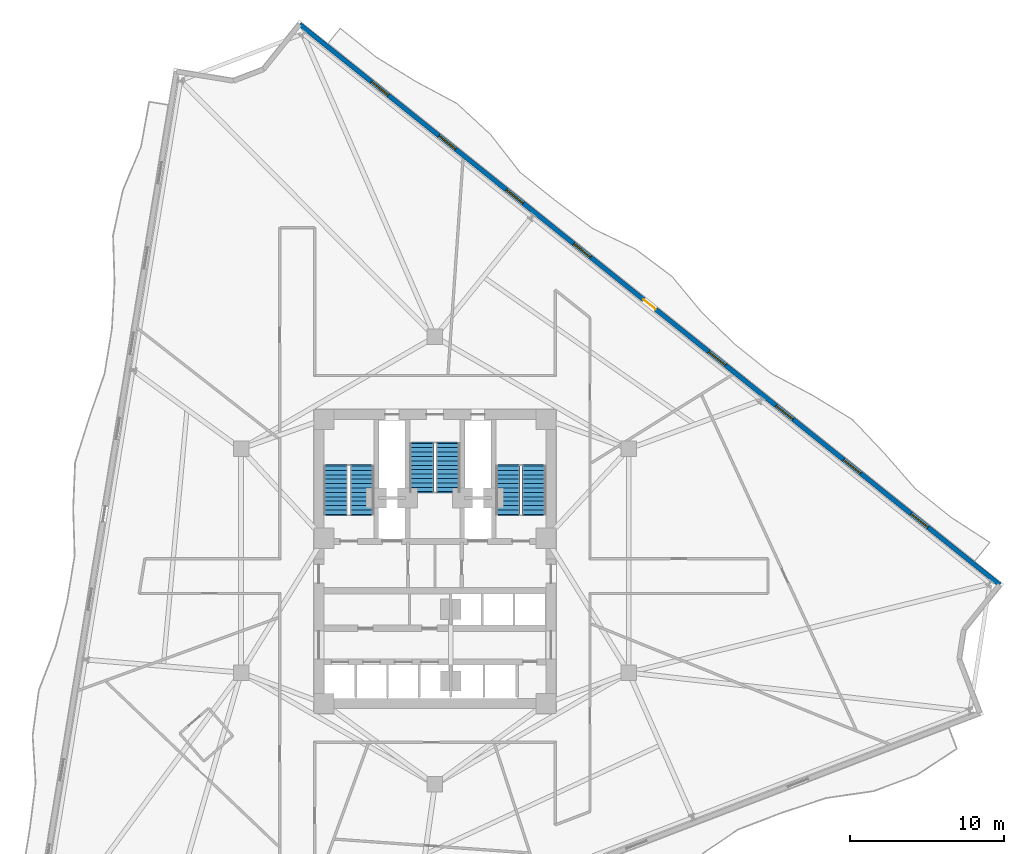
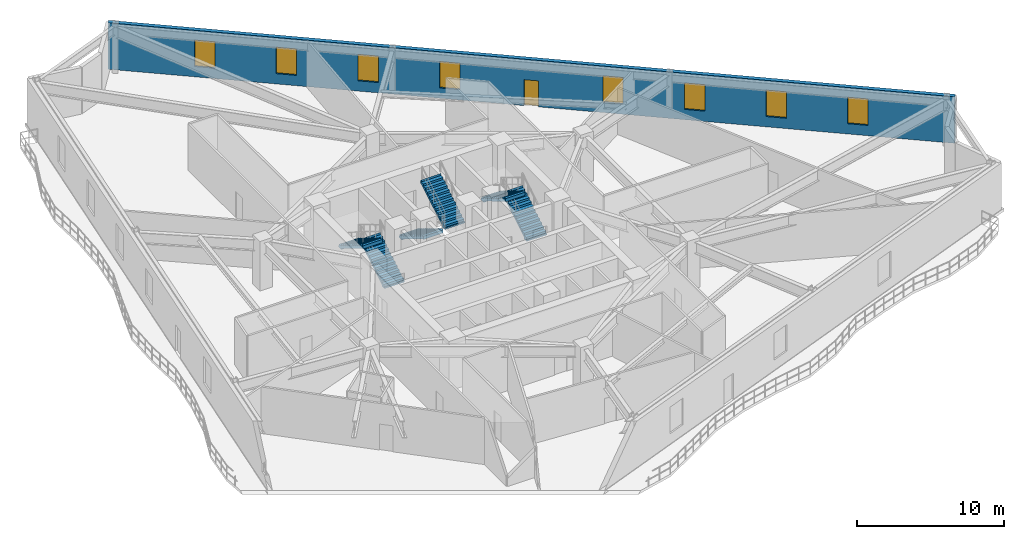
# One storey, part 7 of 11: 8 windows, 6 stair flights, 1 door, 1 wall, 9 openings, 3 elements without a shape of their own.
"""IFC4 building model written with IfcOpenShell, lengths in metres."""

from ifc_helpers import new_model, si_unit, direction, frame, frame_2d, origin, place, context, subcontext, project, spatial, polyline, rectangle, outline, extrude, material, layer, layer_set, type_object, element, fill, aggregate, save


model = new_model("IFC4")

# Units and contexts
model_context = context("Model", 3, precision=1e-05, world=origin(), true_north=direction((0.0, 1.0)))
body_context = subcontext(model_context, "Body", "Model", "MODEL_VIEW")
ifc_project = project(units=[si_unit("LENGTHUNIT", "METRE"), si_unit("AREAUNIT", "SQUARE_METRE"), si_unit("VOLUMEUNIT", "CUBIC_METRE"), si_unit("PLANEANGLEUNIT", "RADIAN"), si_unit("MASSUNIT", "GRAM", prefix="KILO")], contexts=[model_context])

# Site, building, storey
site_placement = place(None, origin())
site = spatial("IfcSite", under=ifc_project, at=site_placement, CompositionType="ELEMENT")
building_placement = place(site_placement, origin())
building = spatial("IfcBuilding", under=site, at=building_placement, Name="Apsidion Concourse Tower", CompositionType="ELEMENT")
storey_placement = place(building_placement, frame((0.0, 0.0, 132.199951171875)))
storey = spatial("IfcBuildingStorey", under=building, at=storey_placement, Name="L30", CompositionType="ELEMENT", Elevation=132.199951171875)

# Wall, openings, door, windows
ifc_material_1 = material(Name="Precast concrete C40/50", Category="concrete")
ifc_layer = layer(ifc_material_1, 0.300048828125)
ifc_layer_set = layer_set([ifc_layer], Name="Precast concrete C40/50")
wall_type = type_object("IfcWallType", Name="WL-EXT-300", PredefinedType="STANDARD", material=ifc_layer_set)
wall_placement = place(storey_placement, frame((-8.76171875, 34.748291015625, 0.0), z_axis=(0.0, 0.0, 1.0), x_axis=(0.780669916438, -0.624943582708, 0.0)))
wall = element("IfcWall", 1, at=wall_placement, inside=storey, type_object=wall_type, Name="L30 Precast Stone Facade Wall 01", PredefinedType="STANDARD", context=body_context, shape_type="SweptSolid", body=[
    extrude(rectangle(XDim=58.093017578125, YDim=0.300048828125, at=frame_2d((29.04638671875, 0.0))), origin(), (0.0, 0.0, 1.0), 3.85009765625),
])
opening_1_placement = place(wall_placement, frame((28.546630859375, 0.0, 0.0)))
opening_1 = element("IfcOpeningElement", 2, at=opening_1_placement, cuts=wall, Name="Opening D-T1L", PredefinedType="OPENING", context=body_context, shape_type="SweptSolid", body=[
    extrude(rectangle(XDim=1.0, YDim=2.14990234375, at=frame_2d((0.5, 1.074951171875))), frame((0.0, 0.16015625, 0.0), z_axis=(0.0, -1.0, 0.0), x_axis=(1.0, 0.0, 0.0)), (0.0, 0.0, 1.0), 0.320068359375),
])
opening_2_placement = place(wall_placement, frame((5.946533203125, 0.0, 0.85009765625)))
opening_2 = element("IfcOpeningElement", 3, at=opening_2_placement, cuts=wall, Name="Opening WN-05", PredefinedType="OPENING", context=body_context, shape_type="SweptSolid", body=[
    extrude(rectangle(XDim=1.39990234375, YDim=2.199951171875, at=frame_2d((0.699951171875, 1.10009765625))), frame((0.0, 0.16015625, 0.0), z_axis=(0.0, -1.0, 0.0), x_axis=(1.0, 0.0, 0.0)), (0.0, 0.0, 1.0), 0.320068359375),
])
opening_3_placement = place(wall_placement, frame((11.546630859375, 0.0, 0.85009765625)))
opening_3 = element("IfcOpeningElement", 4, at=opening_3_placement, cuts=wall, Name="Opening WN-05", PredefinedType="OPENING", context=body_context, shape_type="SweptSolid", body=[
    extrude(rectangle(XDim=1.39990234375, YDim=2.199951171875, at=frame_2d((0.699951171875, 1.10009765625))), frame((0.0, 0.16015625, 0.0), z_axis=(0.0, -1.0, 0.0), x_axis=(1.0, 0.0, 0.0)), (0.0, 0.0, 1.0), 0.320068359375),
])
opening_4_placement = place(wall_placement, frame((17.146484375, 0.0, 0.85009765625)))
opening_4 = element("IfcOpeningElement", 5, at=opening_4_placement, cuts=wall, Name="Opening WN-05", PredefinedType="OPENING", context=body_context, shape_type="SweptSolid", body=[
    extrude(rectangle(XDim=1.39990234375, YDim=2.199951171875, at=frame_2d((0.699951171875, 1.10009765625))), frame((0.0, 0.16015625, 0.0), z_axis=(0.0, -1.0, 0.0), x_axis=(1.0, 0.0, 0.0)), (0.0, 0.0, 1.0), 0.320068359375),
])
opening_5_placement = place(wall_placement, frame((22.74658203125, 0.0, 0.85009765625)))
opening_5 = element("IfcOpeningElement", 6, at=opening_5_placement, cuts=wall, Name="Opening WN-05", PredefinedType="OPENING", context=body_context, shape_type="SweptSolid", body=[
    extrude(rectangle(XDim=1.39990234375, YDim=2.199951171875, at=frame_2d((0.699951171875, 1.10009765625))), frame((0.0, 0.16015625, 0.0), z_axis=(0.0, -1.0, 0.0), x_axis=(1.0, 0.0, 0.0)), (0.0, 0.0, 1.0), 0.320068359375),
])
opening_6_placement = place(wall_placement, frame((33.946533203125, 0.0, 0.85009765625)))
opening_6 = element("IfcOpeningElement", 7, at=opening_6_placement, cuts=wall, Name="Opening WN-05", PredefinedType="OPENING", context=body_context, shape_type="SweptSolid", body=[
    extrude(rectangle(XDim=1.39990234375, YDim=2.199951171875, at=frame_2d((0.699951171875, 1.10009765625))), frame((0.0, 0.16015625, 0.0), z_axis=(0.0, -1.0, 0.0), x_axis=(1.0, 0.0, 0.0)), (0.0, 0.0, 1.0), 0.320068359375),
])
opening_7_placement = place(wall_placement, frame((39.546630859375, 0.0, 0.85009765625)))
opening_7 = element("IfcOpeningElement", 8, at=opening_7_placement, cuts=wall, Name="Opening WN-05", PredefinedType="OPENING", context=body_context, shape_type="SweptSolid", body=[
    extrude(rectangle(XDim=1.39990234375, YDim=2.199951171875, at=frame_2d((0.699951171875, 1.10009765625))), frame((0.0, 0.16015625, 0.0), z_axis=(0.0, -1.0, 0.0), x_axis=(1.0, 0.0, 0.0)), (0.0, 0.0, 1.0), 0.320068359375),
])
opening_8_placement = place(wall_placement, frame((45.146484375, 0.0, 0.85009765625)))
opening_8 = element("IfcOpeningElement", 9, at=opening_8_placement, cuts=wall, Name="Opening WN-05", PredefinedType="OPENING", context=body_context, shape_type="SweptSolid", body=[
    extrude(rectangle(XDim=1.39990234375, YDim=2.199951171875, at=frame_2d((0.699951171875, 1.10009765625))), frame((0.0, 0.16015625, 0.0), z_axis=(0.0, -1.0, 0.0), x_axis=(1.0, 0.0, 0.0)), (0.0, 0.0, 1.0), 0.320068359375),
])
opening_9_placement = place(wall_placement, frame((50.74658203125, 0.0, 0.85009765625)))
opening_9 = element("IfcOpeningElement", 10, at=opening_9_placement, cuts=wall, Name="Opening WN-05", PredefinedType="OPENING", context=body_context, shape_type="SweptSolid", body=[
    extrude(rectangle(XDim=1.39990234375, YDim=2.199951171875, at=frame_2d((0.699951171875, 1.10009765625))), frame((0.0, 0.16015625, 0.0), z_axis=(0.0, -1.0, 0.0), x_axis=(1.0, 0.0, 0.0)), (0.0, 0.0, 1.0), 0.320068359375),
])
ifc_material_2 = material(Name="Anodised aluminium EN AW-6063 T6", Category="aluminium")
door_type = type_object("IfcDoorType", Name="DR-TER-1022L", OperationType="SINGLE_SWING_LEFT", PredefinedType="DOOR", material=ifc_material_2)
door_placement = place(opening_1_placement, origin())
door = element("IfcDoor", 11, at=door_placement, inside=storey, type_object=door_type, Name="L30 Balcony Access Door 3", OperationType="SINGLE_SWING_LEFT", OverallHeight=2.14990234375, OverallWidth=1.0, PredefinedType="DOOR", context=body_context, shape_type="SweptSolid", body=[
    extrude(rectangle(XDim=1.0, YDim=2.14990234375, at=frame_2d((0.5, 1.074951171875))), frame((0.0, 0.02490234375, 0.0), z_axis=(0.0, -1.0, 0.0), x_axis=(1.0, 0.0, 0.0)), (0.0, 0.0, 1.0), 0.050048828125),
])
fill(opening_1, door)
ifc_material_3 = material(Name="Insulated laminated low-E glass", Category="glass")
window_type = type_object("IfcWindowType", Name="WN-OFF-1424", PartitioningType="SINGLE_PANEL", PredefinedType="WINDOW", material=ifc_material_3)
window_1_placement = place(opening_2_placement, origin())
window_1 = element("IfcWindow", 12, at=window_1_placement, inside=storey, type_object=window_type, Name="L30 Punched Facade Window 1-01", OverallHeight=2.199951171875, OverallWidth=1.39990234375, PartitioningType="SINGLE_PANEL", PredefinedType="WINDOW", context=body_context, shape_type="SweptSolid", body=[
    extrude(rectangle(XDim=1.39990234375, YDim=2.199951171875, at=frame_2d((0.699951171875, 1.10009765625))), frame((0.0, 0.030029296875, 0.0), z_axis=(0.0, -1.0, 0.0), x_axis=(1.0, 0.0, 0.0)), (0.0, 0.0, 1.0), 0.06005859375),
])
fill(opening_2, window_1)
window_2_placement = place(opening_3_placement, origin())
window_2 = element("IfcWindow", 13, at=window_2_placement, inside=storey, type_object=window_type, Name="L30 Punched Facade Window 1-02", OverallHeight=2.199951171875, OverallWidth=1.39990234375, PartitioningType="SINGLE_PANEL", PredefinedType="WINDOW", context=body_context, shape_type="SweptSolid", body=[
    extrude(rectangle(XDim=1.39990234375, YDim=2.199951171875, at=frame_2d((0.699951171875, 1.10009765625))), frame((0.0, 0.030029296875, 0.0), z_axis=(0.0, -1.0, 0.0), x_axis=(1.0, 0.0, 0.0)), (0.0, 0.0, 1.0), 0.06005859375),
])
fill(opening_3, window_2)
window_3_placement = place(opening_4_placement, origin())
window_3 = element("IfcWindow", 14, at=window_3_placement, inside=storey, type_object=window_type, Name="L30 Punched Facade Window 1-03", OverallHeight=2.199951171875, OverallWidth=1.39990234375, PartitioningType="SINGLE_PANEL", PredefinedType="WINDOW", context=body_context, shape_type="SweptSolid", body=[
    extrude(rectangle(XDim=1.39990234375, YDim=2.199951171875, at=frame_2d((0.699951171875, 1.10009765625))), frame((0.0, 0.030029296875, 0.0), z_axis=(0.0, -1.0, 0.0), x_axis=(1.0, 0.0, 0.0)), (0.0, 0.0, 1.0), 0.06005859375),
])
fill(opening_4, window_3)
window_4_placement = place(opening_5_placement, origin())
window_4 = element("IfcWindow", 15, at=window_4_placement, inside=storey, type_object=window_type, Name="L30 Punched Facade Window 1-04", OverallHeight=2.199951171875, OverallWidth=1.39990234375, PartitioningType="SINGLE_PANEL", PredefinedType="WINDOW", context=body_context, shape_type="SweptSolid", body=[
    extrude(rectangle(XDim=1.39990234375, YDim=2.199951171875, at=frame_2d((0.699951171875, 1.10009765625))), frame((0.0, 0.030029296875, 0.0), z_axis=(0.0, -1.0, 0.0), x_axis=(1.0, 0.0, 0.0)), (0.0, 0.0, 1.0), 0.06005859375),
])
fill(opening_5, window_4)
window_5_placement = place(opening_6_placement, origin())
window_5 = element("IfcWindow", 16, at=window_5_placement, inside=storey, type_object=window_type, Name="L30 Punched Facade Window 1-06", OverallHeight=2.199951171875, OverallWidth=1.39990234375, PartitioningType="SINGLE_PANEL", PredefinedType="WINDOW", context=body_context, shape_type="SweptSolid", body=[
    extrude(rectangle(XDim=1.39990234375, YDim=2.199951171875, at=frame_2d((0.699951171875, 1.10009765625))), frame((0.0, 0.030029296875, 0.0), z_axis=(0.0, -1.0, 0.0), x_axis=(1.0, 0.0, 0.0)), (0.0, 0.0, 1.0), 0.06005859375),
])
fill(opening_6, window_5)
window_6_placement = place(opening_7_placement, origin())
window_6 = element("IfcWindow", 17, at=window_6_placement, inside=storey, type_object=window_type, Name="L30 Punched Facade Window 1-07", OverallHeight=2.199951171875, OverallWidth=1.39990234375, PartitioningType="SINGLE_PANEL", PredefinedType="WINDOW", context=body_context, shape_type="SweptSolid", body=[
    extrude(rectangle(XDim=1.39990234375, YDim=2.199951171875, at=frame_2d((0.699951171875, 1.10009765625))), frame((0.0, 0.030029296875, 0.0), z_axis=(0.0, -1.0, 0.0), x_axis=(1.0, 0.0, 0.0)), (0.0, 0.0, 1.0), 0.06005859375),
])
fill(opening_7, window_6)
window_7_placement = place(opening_8_placement, origin())
window_7 = element("IfcWindow", 18, at=window_7_placement, inside=storey, type_object=window_type, Name="L30 Punched Facade Window 1-08", OverallHeight=2.199951171875, OverallWidth=1.39990234375, PartitioningType="SINGLE_PANEL", PredefinedType="WINDOW", context=body_context, shape_type="SweptSolid", body=[
    extrude(rectangle(XDim=1.39990234375, YDim=2.199951171875, at=frame_2d((0.699951171875, 1.10009765625))), frame((0.0, 0.030029296875, 0.0), z_axis=(0.0, -1.0, 0.0), x_axis=(1.0, 0.0, 0.0)), (0.0, 0.0, 1.0), 0.06005859375),
])
fill(opening_8, window_7)
window_8_placement = place(opening_9_placement, origin())
window_8 = element("IfcWindow", 19, at=window_8_placement, inside=storey, type_object=window_type, Name="L30 Punched Facade Window 1-09", OverallHeight=2.199951171875, OverallWidth=1.39990234375, PartitioningType="SINGLE_PANEL", PredefinedType="WINDOW", context=body_context, shape_type="SweptSolid", body=[
    extrude(rectangle(XDim=1.39990234375, YDim=2.199951171875, at=frame_2d((0.699951171875, 1.10009765625))), frame((0.0, 0.030029296875, 0.0), z_axis=(0.0, -1.0, 0.0), x_axis=(1.0, 0.0, 0.0)), (0.0, 0.0, 1.0), 0.06005859375),
])
fill(opening_9, window_8)

# Stair, stair flights
stair_type = type_object("IfcStairType", Name="ST-DL-1550", PredefinedType="HALF_TURN_STAIR", material=ifc_material_1)
stair_1_placement = place(storey_placement, origin())
stair_1 = element("IfcStair", 20, at=stair_1_placement, inside=storey, type_object=stair_type, Name="L30 Protected Core Exit Stair ST1", PredefinedType="HALF_TURN_STAIR")
stair_flight_type = type_object("IfcStairFlightType", Name="SFL-RC-1550", PredefinedType="STRAIGHT", material=ifc_material_1)
stair_flight_1_placement = place(storey_placement, frame((-4.72509765625, 3.0, 0.0), z_axis=(0.0, 0.0, 1.0), x_axis=(0.0, 1.0, 0.0)))
stair_flight_1 = element("IfcStairFlight", 21, at=stair_flight_1_placement, type_object=stair_flight_type, Name="ST1 flight 1", NumberOfRisers=12, NumberOfTreads=11, PredefinedType="STRAIGHT", RiserHeight=0.170833333, TreadLength=0.285, context=body_context, shape_type="SweptSolid", body=[
    extrude(outline(polyline([(-0.080078125, -0.1123046875), (-0.080078125, 0.0), (0.0, 0.0), (0.0, 0.1708984375), (0.284912109375, 0.1708984375), (0.284912109375, 0.341552734375), (0.570068359375, 0.341552734375), (0.570068359375, 0.512451171875), (0.85498046875, 0.512451171875), (0.85498046875, 0.683349609375), (1.139892578125, 0.683349609375), (1.139892578125, 0.854248046875), (1.425048828125, 0.854248046875), (1.425048828125, 1.02490234375), (1.7099609375, 1.02490234375), (1.7099609375, 1.19580078125), (1.9951171875, 1.19580078125), (1.9951171875, 1.36669921875), (2.280029296875, 1.36669921875), (2.280029296875, 1.53759765625), (2.56494140625, 1.53759765625), (2.56494140625, 1.708251953125), (2.85009765625, 1.708251953125), (2.85009765625, 1.879150390625), (3.135009765625, 1.879150390625), (3.135009765625, 2.050048828125), (3.215087890625, 1.964599609375), (3.215087890625, 1.704345703125), (3.135009765625, 1.704345703125), (0.29150390625, 0.0), (0.29150390625, -0.1123046875), (-0.080078125, -0.1123046875)])), frame((0.0, 0.77490234375, 0.0), z_axis=(0.0, -1.0, 0.0), x_axis=(1.0, 0.0, 0.0)), (0.0, 0.0, 1.0), 1.550048828125),
])
stair_flight_2_placement = place(storey_placement, frame((-6.425048828125, 6.135009765625, 2.050048828125), z_axis=(0.0, 0.0, 1.0), x_axis=(0.0, -1.0, 0.0)))
stair_flight_2 = element("IfcStairFlight", 22, at=stair_flight_2_placement, type_object=stair_flight_type, Name="ST1 flight 2", NumberOfRisers=12, NumberOfTreads=11, PredefinedType="STRAIGHT", RiserHeight=0.170833333, TreadLength=0.285, context=body_context, shape_type="SweptSolid", body=[
    extrude(outline(polyline([(-0.080078125, -0.1123046875), (-0.080078125, 0.0), (0.0, 0.0), (0.0, 0.1708984375), (0.284912109375, 0.1708984375), (0.284912109375, 0.341552734375), (0.570068359375, 0.341552734375), (0.570068359375, 0.512451171875), (0.85498046875, 0.512451171875), (0.85498046875, 0.683349609375), (1.139892578125, 0.683349609375), (1.139892578125, 0.854248046875), (1.425048828125, 0.854248046875), (1.425048828125, 1.02490234375), (1.7099609375, 1.02490234375), (1.7099609375, 1.19580078125), (1.9951171875, 1.19580078125), (1.9951171875, 1.36669921875), (2.280029296875, 1.36669921875), (2.280029296875, 1.53759765625), (2.56494140625, 1.53759765625), (2.56494140625, 1.708251953125), (2.85009765625, 1.708251953125), (2.85009765625, 1.879150390625), (3.135009765625, 1.879150390625), (3.135009765625, 2.050048828125), (3.215087890625, 1.964599609375), (3.215087890625, 1.704345703125), (3.135009765625, 1.704345703125), (0.29150390625, 0.0), (0.29150390625, -0.1123046875), (-0.080078125, -0.1123046875)])), frame((0.0, 0.77490234375, 0.0), z_axis=(0.0, -1.0, 0.0), x_axis=(1.0, 0.0, 0.0)), (0.0, 0.0, 1.0), 1.550048828125),
])
aggregate(stair_1, [stair_flight_1, stair_flight_2])

stair_2_placement = place(storey_placement, origin())
stair_2 = element("IfcStair", 23, at=stair_2_placement, inside=storey, type_object=stair_type, Name="L30 Protected Core Exit Stair ST2", PredefinedType="HALF_TURN_STAIR")
stair_flight_3_placement = place(storey_placement, frame((6.425048828125, 3.0, 0.0), z_axis=(0.0, 0.0, 1.0), x_axis=(0.0, 1.0, 0.0)))
stair_flight_3 = element("IfcStairFlight", 24, at=stair_flight_3_placement, type_object=stair_flight_type, Name="ST2 flight 1", NumberOfRisers=12, NumberOfTreads=11, PredefinedType="STRAIGHT", RiserHeight=0.170833333, TreadLength=0.285, context=body_context, shape_type="SweptSolid", body=[
    extrude(outline(polyline([(-0.080078125, -0.1123046875), (-0.080078125, 0.0), (0.0, 0.0), (0.0, 0.1708984375), (0.284912109375, 0.1708984375), (0.284912109375, 0.341552734375), (0.570068359375, 0.341552734375), (0.570068359375, 0.512451171875), (0.85498046875, 0.512451171875), (0.85498046875, 0.683349609375), (1.139892578125, 0.683349609375), (1.139892578125, 0.854248046875), (1.425048828125, 0.854248046875), (1.425048828125, 1.02490234375), (1.7099609375, 1.02490234375), (1.7099609375, 1.19580078125), (1.9951171875, 1.19580078125), (1.9951171875, 1.36669921875), (2.280029296875, 1.36669921875), (2.280029296875, 1.53759765625), (2.56494140625, 1.53759765625), (2.56494140625, 1.708251953125), (2.85009765625, 1.708251953125), (2.85009765625, 1.879150390625), (3.135009765625, 1.879150390625), (3.135009765625, 2.050048828125), (3.215087890625, 1.964599609375), (3.215087890625, 1.704345703125), (3.135009765625, 1.704345703125), (0.29150390625, 0.0), (0.29150390625, -0.1123046875), (-0.080078125, -0.1123046875)])), frame((0.0, 0.77490234375, 0.0), z_axis=(0.0, -1.0, 0.0), x_axis=(1.0, 0.0, 0.0)), (0.0, 0.0, 1.0), 1.550048828125),
])
stair_flight_4_placement = place(storey_placement, frame((4.72509765625, 6.135009765625, 2.050048828125), z_axis=(0.0, 0.0, 1.0), x_axis=(0.0, -1.0, 0.0)))
stair_flight_4 = element("IfcStairFlight", 25, at=stair_flight_4_placement, type_object=stair_flight_type, Name="ST2 flight 2", NumberOfRisers=12, NumberOfTreads=11, PredefinedType="STRAIGHT", RiserHeight=0.170833333, TreadLength=0.285, context=body_context, shape_type="SweptSolid", body=[
    extrude(outline(polyline([(-0.080078125, -0.1123046875), (-0.080078125, 0.0), (0.0, 0.0), (0.0, 0.1708984375), (0.284912109375, 0.1708984375), (0.284912109375, 0.341552734375), (0.570068359375, 0.341552734375), (0.570068359375, 0.512451171875), (0.85498046875, 0.512451171875), (0.85498046875, 0.683349609375), (1.139892578125, 0.683349609375), (1.139892578125, 0.854248046875), (1.425048828125, 0.854248046875), (1.425048828125, 1.02490234375), (1.7099609375, 1.02490234375), (1.7099609375, 1.19580078125), (1.9951171875, 1.19580078125), (1.9951171875, 1.36669921875), (2.280029296875, 1.36669921875), (2.280029296875, 1.53759765625), (2.56494140625, 1.53759765625), (2.56494140625, 1.708251953125), (2.85009765625, 1.708251953125), (2.85009765625, 1.879150390625), (3.135009765625, 1.879150390625), (3.135009765625, 2.050048828125), (3.215087890625, 1.964599609375), (3.215087890625, 1.704345703125), (3.135009765625, 1.704345703125), (0.29150390625, 0.0), (0.29150390625, -0.1123046875), (-0.080078125, -0.1123046875)])), frame((0.0, 0.77490234375, 0.0), z_axis=(0.0, -1.0, 0.0), x_axis=(1.0, 0.0, 0.0)), (0.0, 0.0, 1.0), 1.550048828125),
])
aggregate(stair_2, [stair_flight_3, stair_flight_4])

stair_3_placement = place(storey_placement, origin())
stair_3 = element("IfcStair", 26, at=stair_3_placement, inside=storey, type_object=stair_type, Name="L30 Protected Core Exit Stair ST3", PredefinedType="HALF_TURN_STAIR")
stair_flight_5_placement = place(storey_placement, frame((-0.85009765625, 7.60009765625, 0.0), z_axis=(0.0, 0.0, 1.0), x_axis=(0.0, -1.0, 0.0)))
stair_flight_5 = element("IfcStairFlight", 27, at=stair_flight_5_placement, type_object=stair_flight_type, Name="ST3 flight 1", NumberOfRisers=12, NumberOfTreads=11, PredefinedType="STRAIGHT", RiserHeight=0.170833333, TreadLength=0.285, context=body_context, shape_type="SweptSolid", body=[
    extrude(outline(polyline([(-0.080078125, -0.1123046875), (-0.080078125, 0.0), (0.0, 0.0), (0.0, 0.1708984375), (0.284912109375, 0.1708984375), (0.284912109375, 0.341552734375), (0.570068359375, 0.341552734375), (0.570068359375, 0.512451171875), (0.85498046875, 0.512451171875), (0.85498046875, 0.683349609375), (1.139892578125, 0.683349609375), (1.139892578125, 0.854248046875), (1.425048828125, 0.854248046875), (1.425048828125, 1.02490234375), (1.7099609375, 1.02490234375), (1.7099609375, 1.19580078125), (1.9951171875, 1.19580078125), (1.9951171875, 1.36669921875), (2.280029296875, 1.36669921875), (2.280029296875, 1.53759765625), (2.56494140625, 1.53759765625), (2.56494140625, 1.708251953125), (2.85009765625, 1.708251953125), (2.85009765625, 1.879150390625), (3.135009765625, 1.879150390625), (3.135009765625, 2.050048828125), (3.215087890625, 1.964599609375), (3.215087890625, 1.704345703125), (3.135009765625, 1.704345703125), (0.29150390625, 0.0), (0.29150390625, -0.1123046875), (-0.080078125, -0.1123046875)])), frame((0.0, 0.77490234375, 0.0), z_axis=(0.0, -1.0, 0.0), x_axis=(1.0, 0.0, 0.0)), (0.0, 0.0, 1.0), 1.550048828125),
])
stair_flight_6_placement = place(storey_placement, frame((0.85009765625, 4.465087890625, 2.050048828125), z_axis=(0.0, 0.0, 1.0), x_axis=(0.0, 1.0, 0.0)))
stair_flight_6 = element("IfcStairFlight", 28, at=stair_flight_6_placement, type_object=stair_flight_type, Name="ST3 flight 2", NumberOfRisers=12, NumberOfTreads=11, PredefinedType="STRAIGHT", RiserHeight=0.170833333, TreadLength=0.285, context=body_context, shape_type="SweptSolid", body=[
    extrude(outline(polyline([(-0.080078125, -0.1123046875), (-0.080078125, 0.0), (0.0, 0.0), (0.0, 0.1708984375), (0.284912109375, 0.1708984375), (0.284912109375, 0.341552734375), (0.570068359375, 0.341552734375), (0.570068359375, 0.512451171875), (0.85498046875, 0.512451171875), (0.85498046875, 0.683349609375), (1.139892578125, 0.683349609375), (1.139892578125, 0.854248046875), (1.425048828125, 0.854248046875), (1.425048828125, 1.02490234375), (1.7099609375, 1.02490234375), (1.7099609375, 1.19580078125), (1.9951171875, 1.19580078125), (1.9951171875, 1.36669921875), (2.280029296875, 1.36669921875), (2.280029296875, 1.53759765625), (2.56494140625, 1.53759765625), (2.56494140625, 1.708251953125), (2.85009765625, 1.708251953125), (2.85009765625, 1.879150390625), (3.135009765625, 1.879150390625), (3.135009765625, 2.050048828125), (3.215087890625, 1.964599609375), (3.215087890625, 1.704345703125), (3.135009765625, 1.704345703125), (0.29150390625, 0.0), (0.29150390625, -0.1123046875), (-0.080078125, -0.1123046875)])), frame((0.0, 0.77490234375, 0.0), z_axis=(0.0, -1.0, 0.0), x_axis=(1.0, 0.0, 0.0)), (0.0, 0.0, 1.0), 1.550048828125),
])
aggregate(stair_3, [stair_flight_5, stair_flight_6])

save(model, "model.ifc")
